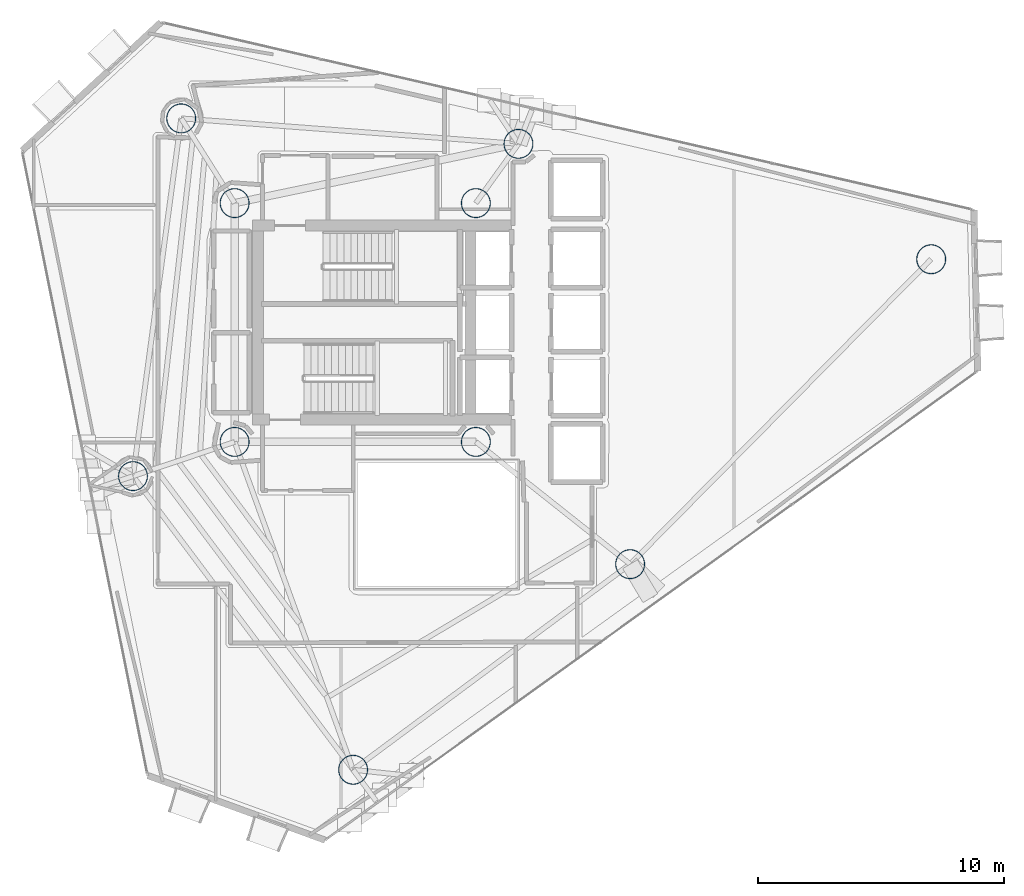
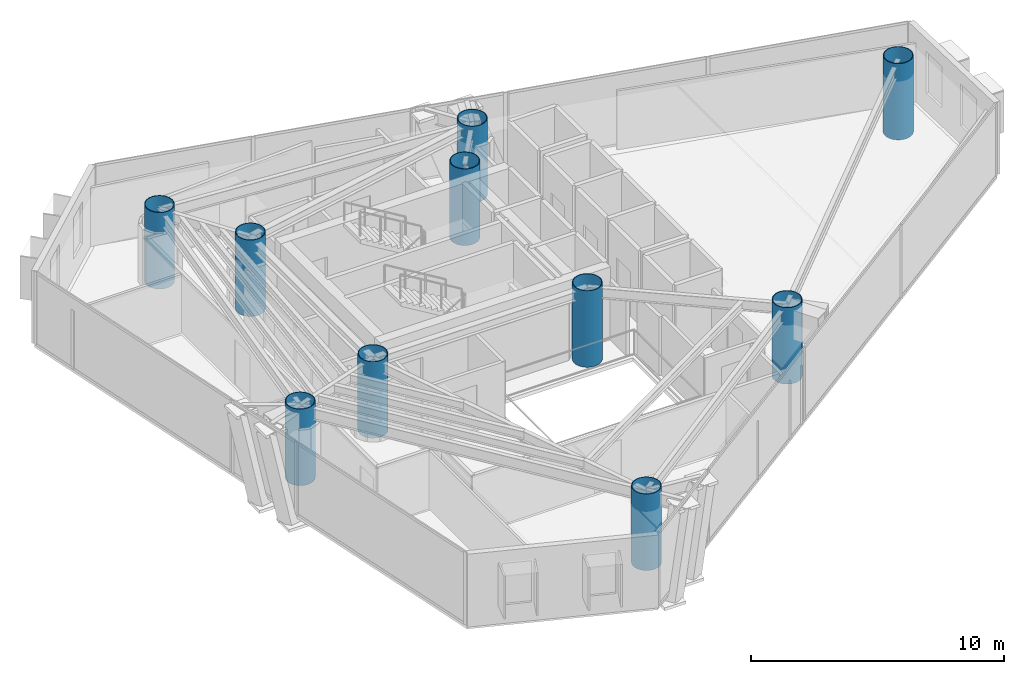
# One storey, part 1 of 22: 10 columns.
"""IFC4 building model written with IfcOpenShell, lengths in metres."""

from ifc_helpers import new_model, si_unit, direction, frame, origin, origin_2d, place, context, subcontext, project, spatial, hollow_circle, extrude, material, material_profile, profile_set, type_object, element, save


model = new_model("IFC4")

# Units and contexts
model_context = context("Model", 3, precision=1e-05, world=origin(), true_north=direction((0.0, 1.0)))
body_context = subcontext(model_context, "Body", "Model", "MODEL_VIEW")
ifc_project = project(units=[si_unit("LENGTHUNIT", "METRE"), si_unit("AREAUNIT", "SQUARE_METRE"), si_unit("VOLUMEUNIT", "CUBIC_METRE"), si_unit("PLANEANGLEUNIT", "RADIAN"), si_unit("MASSUNIT", "GRAM", prefix="KILO")], contexts=[model_context])

# Site, building, storey
site_placement = place(None, origin())
site = spatial("IfcSite", under=ifc_project, at=site_placement, CompositionType="ELEMENT")
building_placement = place(site_placement, origin())
building = spatial("IfcBuilding", under=site, at=building_placement, Name="Qianvela Tower", CompositionType="ELEMENT")
storey_placement = place(building_placement, frame((0.0, 0.0, 204.0)))
storey = spatial("IfcBuildingStorey", under=building, at=storey_placement, Name="L52", CompositionType="ELEMENT", Elevation=204.0)

# Columns
ifc_material = material(Name="Steel Q420GJC", Category="steel")
ifc_material_profile = material_profile(ifc_material, hollow_circle(Radius=0.60009765625, WallThickness=0.030029296875, at=origin_2d()), Name="CFT-1200x30")
ifc_profile_set = profile_set([ifc_material_profile], Name="Steel Q420GJC")
column_type = type_object("IfcColumnType", Name="COL-CFT-1200x30", PredefinedType="COLUMN", material=ifc_profile_set)
for number, where, z_axis, x_axis, name in (
    (1, (28.60009765625, 33.550048828125, 0.0), (0.0, 0.0, 1.0), (1.0, 0.0, 0.0), "L52 Core Corner Mega-Column CC-NW"),
    (2, (28.60009765625, 23.85009765625, 0.0), (0.0, 0.0, 1.0), (1.0, 0.0, 0.0), "L52 Core Corner Mega-Column CC-SW"),
    (3, (38.39990234375, 33.550048828125, 0.0), (0.0, 0.0, 1.0), (1.0, 0.0, 0.0), "L52 Core Corner Mega-Column CC-NE"),
    (4, (38.39990234375, 23.85009765625, 0.0), (0.0, 0.0, 1.0), (1.0, 0.0, 0.0), "L52 Core Corner Mega-Column CC-SE"),
    (5, (56.89697265625, 31.27001953125, 0.0), (0.0, 0.0, 1.0), (1.0, 0.0, 0.0), "L52 Zone Z5 CFT Mega-Column C1"),
    (6, (40.131103515625, 35.9580078125, 0.0), (0.0, 0.0, 1.0), (1.0, 0.0, 0.0), "L52 Zone Z5 CFT Mega-Column C2"),
    (7, (26.430908203125, 36.991943359375, 0.0), (0.0, 0.0, 1.0), (1.0, 0.0, 0.0), "L52 Zone Z5 CFT Mega-Column C3"),
    (8, (24.471923828125, 22.4599609375, 0.0), (0.0, 0.0, 1.0), (1.0, 0.0, 0.0), "L52 Zone Z5 CFT Mega-Column C4"),
    (9, (33.4130859375, 10.531005859375, 0.0), (0.0, 0.0, 1.0), (1.0, 0.0, 0.0), "L52 Zone Z5 CFT Mega-Column C5"),
    (10, (44.6669921875, 18.883056640625, 0.0), (0.0, 0.0, 1.0), (1.0, 0.0, 0.0), "L52 Zone Z5 CFT Mega-Column C6"),
):
    element("IfcColumn", number, at=place(storey_placement, frame(where, z_axis=z_axis, x_axis=x_axis)), inside=storey, type_object=column_type, Name=name, PredefinedType="COLUMN", context=body_context, shape_type="SweptSolid", body=[
        extrude(hollow_circle(Radius=0.60009765625, WallThickness=0.030029296875, at=origin_2d()), origin(), (0.0, 0.0, 1.0), 3.699951171875),
    ])

save(model, "model.ifc")
